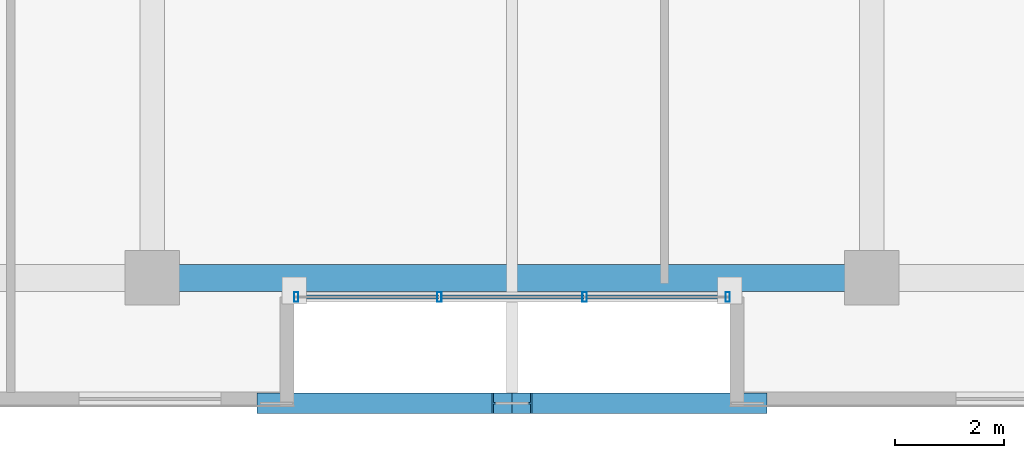
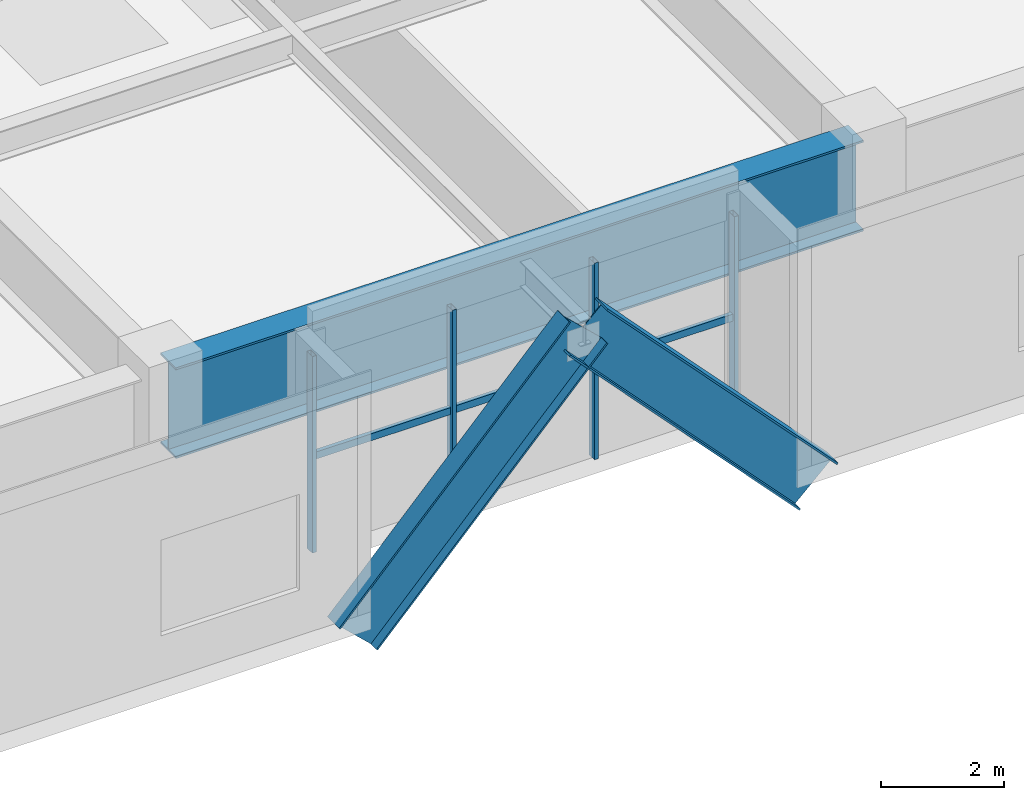
# One storey, part 2 of 17: 9 members, 1 beam, 1 element without a shape of its own.
"""IFC4 building model written with IfcOpenShell, lengths in metres."""

from ifc_helpers import new_model, si_unit, direction, frame, origin, origin_2d, place, context, subcontext, project, spatial, hollow_rectangle, i_section, extrude, source, transform, mapped, material, material_profile, profile_set, type_object, element, aggregate, save


model = new_model("IFC4")

# Units and contexts
model_context = context("Model", 3, precision=1e-05, world=origin(), true_north=direction((0.0, 1.0)))
body_context = subcontext(model_context, "Body", "Model", "MODEL_VIEW")
ifc_project = project(units=[si_unit("LENGTHUNIT", "METRE"), si_unit("AREAUNIT", "SQUARE_METRE"), si_unit("VOLUMEUNIT", "CUBIC_METRE"), si_unit("PLANEANGLEUNIT", "RADIAN"), si_unit("MASSUNIT", "GRAM", prefix="KILO")], contexts=[model_context])

# Site, building, storey
site_placement = place(None, origin())
site = spatial("IfcSite", under=ifc_project, at=site_placement, CompositionType="ELEMENT")
building_placement = place(site_placement, origin())
building = spatial("IfcBuilding", under=site, at=building_placement, Name="Trelvane Seafront Commons", CompositionType="ELEMENT")
storey_placement = place(building_placement, frame((0.0, 0.0, 18.699951171875)))
storey = spatial("IfcBuildingStorey", under=building, at=storey_placement, Name="L04", CompositionType="ELEMENT", Elevation=18.699951171875)

# Beam
ifc_material_1 = material(Name="Steel SM355 (S355)", Category="steel")
ifc_material_profile_1 = material_profile(ifc_material_1, i_section(OverallWidth=0.5, OverallDepth=1.800048828125, WebThickness=0.02392578125, FlangeThickness=0.0400390625, at=origin_2d()), Name="W-1800x500x24x40")
ifc_profile_set_1 = profile_set([ifc_material_profile_1], Name="Steel SM355 (S355)")
beam_type = type_object("IfcBeamType", Name="STR-TRG-W1800", PredefinedType="BEAM", material=ifc_profile_set_1)
shared_shape_1 = source(origin(), body_context, "Body", "SweptSolid", [
    extrude(i_section(OverallWidth=0.5, OverallDepth=1.800048828125, WebThickness=0.02392578125, FlangeThickness=0.0400390625, at=origin_2d()), origin(), (0.0, 0.0, 1.0), 12.89990234375),
])
beam_placement = place(storey_placement, frame((30.75, 3.949951171875, 3.52001953125), z_axis=(1.0, 0.0, 0.0), x_axis=(0.0, 1.0, 0.0)))
element("IfcBeam", 1, at=beam_placement, inside=storey, type_object=beam_type, Name="L04 Transfer Girder TG-04", PredefinedType="BEAM", context=body_context, shape_type="MappedRepresentation", body=[
    mapped(shared_shape_1, transform((0.0, 0.0, 0.0), x_axis=(1.0, 0.0, 0.0), y_axis=(0.0, 1.0, 0.0), z_axis=(0.0, 0.0, 1.0), scale=1.0)),
])

# Members
ifc_material_profile_2 = material_profile(ifc_material_1, i_section(OverallWidth=0.3798828125, OverallDepth=1.0, WebThickness=0.01904296875, FlangeThickness=0.033935546875, at=origin_2d()), Name="W-1000x380x19x34")
ifc_profile_set_2 = profile_set([ifc_material_profile_2], Name="Steel SM355 (S355)")
member_type_1 = type_object("IfcMemberType", Name="STR-STR-W1000", PredefinedType="STRUT", material=ifc_profile_set_2)
shared_shape_2 = source(origin(), body_context, "Body", "SweptSolid", [
    extrude(i_section(OverallWidth=0.3798828125, OverallDepth=1.0, WebThickness=0.01904296875, FlangeThickness=0.033935546875, at=origin_2d()), origin(), (0.0, 0.0, 1.0), 6.28857421875),
])
for number, where, z_axis, x_axis, name in (
    (2, (32.8798828125, 1.64990234375, -0.349853515625), (0.686970010478, 0.0, 0.726685767512), (0.0, 1.0, 0.0), "L04 Base Inverted-V Portal Mega-Strut VP-W"),
    (3, (41.52001953125, 1.64990234375, -0.349853515625), (-0.686970010478, 0.0, 0.726685767512), (0.0, -1.0, 0.0), "L04 Base Inverted-V Portal Mega-Strut VP-E"),
):
    element("IfcMember", number, at=place(storey_placement, frame(where, z_axis=z_axis, x_axis=x_axis)), inside=storey, type_object=member_type_1, Name=name, PredefinedType="STRUT", context=body_context, shape_type="MappedRepresentation", body=[
        mapped(shared_shape_2, transform((0.0, 0.0, 0.0), x_axis=(1.0, 0.0, 0.0), y_axis=(0.0, 1.0, 0.0), z_axis=(0.0, 0.0, 1.0), scale=1.0)),
    ])

# Curtain wall, members
ifc_material_2 = material(Name="Anodised pale-silver aluminium", Category="aluminium")
curtain_wall_type = type_object("IfcCurtainWallType", Name="ARCH-CW1-PODIUM", PredefinedType="NOTDEFINED", material=ifc_material_2)
curtain_wall_placement = place(storey_placement, origin())
curtain_wall = element("IfcCurtainWall", 4, at=curtain_wall_placement, inside=storey, type_object=curtain_wall_type, Name="CW-L04-VP-0028", PredefinedType="NOTDEFINED")
ifc_material_profile_3 = material_profile(ifc_material_2, hollow_rectangle(XDim=0.080078125, YDim=0.179931640625, WallThickness=0.00439453125, at=origin_2d()), Name="MULL-80x180x4.5")
ifc_profile_set_3 = profile_set([ifc_material_profile_3], Name="Anodised pale-silver aluminium")
member_type_2 = type_object("IfcMemberType", Name="ARCH-CW-MULL-180", PredefinedType="MULLION", material=ifc_profile_set_3)
shared_shape_3 = source(origin(), body_context, "Body", "SweptSolid", [
    extrude(hollow_rectangle(XDim=0.080078125, YDim=0.179931640625, WallThickness=0.00439453125, at=origin_2d()), origin(), (0.0, 0.0, 1.0), 3.900146484375),
])
member_1_placement = place(storey_placement, frame((41.159912109375, 3.60009765625, 0.0), z_axis=(0.0, 0.0, 1.0), x_axis=(1.0, 0.0, 0.0)))
member_1 = element("IfcMember", 5, at=member_1_placement, type_object=member_type_2, Name="CW-L04-VP-0028-M00", PredefinedType="MULLION", context=body_context, shape_type="MappedRepresentation", body=[
    mapped(shared_shape_3, transform((0.0, 0.0, 0.0), x_axis=(1.0, 0.0, 0.0), y_axis=(0.0, 1.0, 0.0), z_axis=(0.0, 0.0, 1.0), scale=1.0)),
])
member_2_placement = place(storey_placement, frame((38.533203125, 3.60009765625, 0.0), z_axis=(0.0, 0.0, 1.0), x_axis=(1.0, 0.0, 0.0)))
member_2 = element("IfcMember", 6, at=member_2_placement, type_object=member_type_2, Name="CW-L04-VP-0028-M01", PredefinedType="MULLION", context=body_context, shape_type="MappedRepresentation", body=[
    mapped(shared_shape_3, transform((0.0, 0.0, 0.0), x_axis=(1.0, 0.0, 0.0), y_axis=(0.0, 1.0, 0.0), z_axis=(0.0, 0.0, 1.0), scale=1.0)),
])
member_3_placement = place(storey_placement, frame((35.86669921875, 3.60009765625, 0.0), z_axis=(0.0, 0.0, 1.0), x_axis=(1.0, 0.0, 0.0)))
member_3 = element("IfcMember", 7, at=member_3_placement, type_object=member_type_2, Name="CW-L04-VP-0028-M02", PredefinedType="MULLION", context=body_context, shape_type="MappedRepresentation", body=[
    mapped(shared_shape_3, transform((0.0, 0.0, 0.0), x_axis=(1.0, 0.0, 0.0), y_axis=(0.0, 1.0, 0.0), z_axis=(0.0, 0.0, 1.0), scale=1.0)),
])
member_4_placement = place(storey_placement, frame((33.239990234375, 3.60009765625, 0.0), z_axis=(0.0, 0.0, 1.0), x_axis=(1.0, 0.0, 0.0)))
member_4 = element("IfcMember", 8, at=member_4_placement, type_object=member_type_2, Name="CW-L04-VP-0028-M03", PredefinedType="MULLION", context=body_context, shape_type="MappedRepresentation", body=[
    mapped(shared_shape_3, transform((0.0, 0.0, 0.0), x_axis=(1.0, 0.0, 0.0), y_axis=(0.0, 1.0, 0.0), z_axis=(0.0, 0.0, 1.0), scale=1.0)),
])
ifc_material_profile_4 = material_profile(ifc_material_2, hollow_rectangle(XDim=0.074951171875, YDim=0.139892578125, WallThickness=0.00390625, at=origin_2d()), Name="TRAN-75x140x4")
ifc_profile_set_4 = profile_set([ifc_material_profile_4], Name="Anodised pale-silver aluminium")
member_type_3 = type_object("IfcMemberType", Name="ARCH-CW-TRAN-140", PredefinedType="USERDEFINED", material=ifc_profile_set_4)
shared_shape_4 = source(origin(), body_context, "Body", "SweptSolid", [
    extrude(hollow_rectangle(XDim=0.074951171875, YDim=0.139892578125, WallThickness=0.00390625, at=origin_2d()), origin(), (0.0, 0.0, 1.0), 2.642578125),
])
member_5_placement = place(storey_placement, frame((41.18798828125, 3.60009765625, 1.8720703125), z_axis=(-1.0, 0.0, 0.0), x_axis=(0.0, -1.0, 0.0)))
member_5 = element("IfcMember", 9, at=member_5_placement, type_object=member_type_3, Name="CW-L04-VP-0028-T00", ObjectType="TRANSOM", PredefinedType="USERDEFINED", context=body_context, shape_type="MappedRepresentation", body=[
    mapped(shared_shape_4, transform((0.0, 0.0, 0.0), x_axis=(1.0, 0.0, 0.0), y_axis=(0.0, 1.0, 0.0), z_axis=(0.0, 0.0, 1.0), scale=1.0)),
])
member_6_placement = place(storey_placement, frame((38.521240234375, 3.60009765625, 1.8720703125), z_axis=(-1.0, 0.0, 0.0), x_axis=(0.0, -1.0, 0.0)))
member_6 = element("IfcMember", 10, at=member_6_placement, type_object=member_type_3, Name="CW-L04-VP-0028-T01", ObjectType="TRANSOM", PredefinedType="USERDEFINED", context=body_context, shape_type="MappedRepresentation", body=[
    mapped(shared_shape_4, transform((0.0, 0.0, 0.0), x_axis=(1.0, 0.0, 0.0), y_axis=(0.0, 1.0, 0.0), z_axis=(0.0, 0.0, 1.0), scale=1.0)),
])
shared_shape_5 = source(origin(), body_context, "Body", "SweptSolid", [
    extrude(hollow_rectangle(XDim=0.074951171875, YDim=0.139892578125, WallThickness=0.00390625, at=origin_2d()), origin(), (0.0, 0.0, 1.0), 2.642822265625),
])
member_7_placement = place(storey_placement, frame((35.854736328125, 3.60009765625, 1.8720703125), z_axis=(-1.0, 0.0, 0.0), x_axis=(0.0, -1.0, 0.0)))
member_7 = element("IfcMember", 11, at=member_7_placement, type_object=member_type_3, Name="CW-L04-VP-0028-T02", ObjectType="TRANSOM", PredefinedType="USERDEFINED", context=body_context, shape_type="MappedRepresentation", body=[
    mapped(shared_shape_5, transform((0.0, 0.0, 0.0), x_axis=(1.0, 0.0, 0.0), y_axis=(0.0, 1.0, 0.0), z_axis=(0.0, 0.0, 1.0), scale=1.0)),
])
aggregate(curtain_wall, [member_1, member_2, member_3, member_4, member_5, member_6, member_7])

save(model, "model.ifc")
